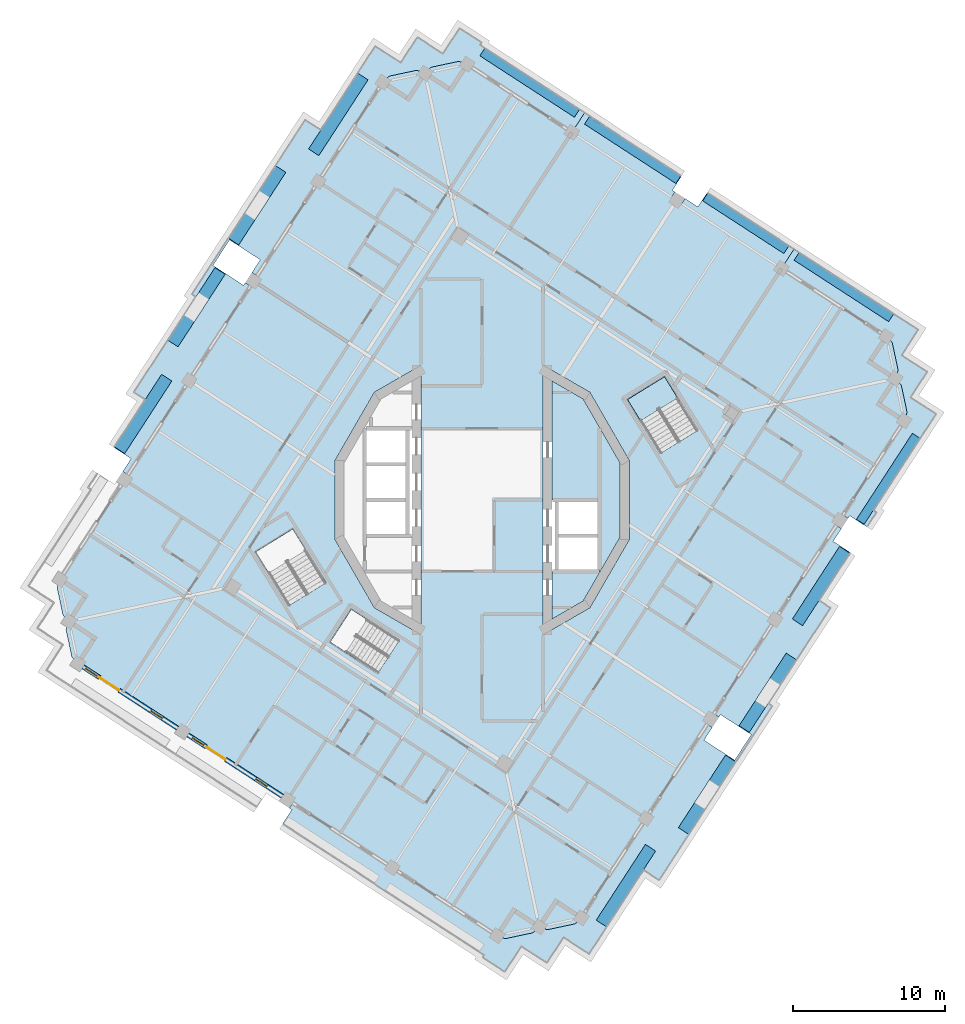
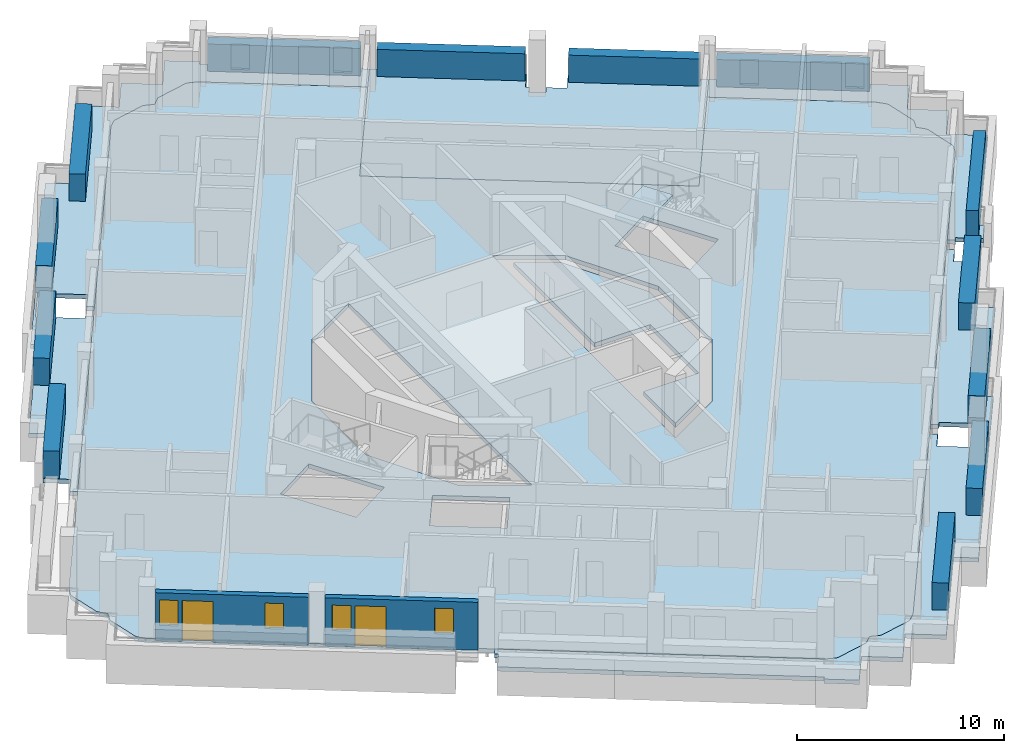
# One storey, part 3 of 15: 13 plates, 7 slabs, 4 windows, 2 doors, 2 walls, 6 openings, 1 element without a shape of its own.
"""IFC4 building model written with IfcOpenShell, lengths in metres."""

from ifc_helpers import new_model, si_unit, direction, frame, frame_2d, origin, origin_2d, place, context, subcontext, project, spatial, polyline, rectangle, outline, extrude, material, layer, layer_set, type_object, element, fill, aggregate, save


model = new_model("IFC4")

# Units and contexts
model_context = context("Model", 3, precision=1e-05, world=origin(), true_north=direction((0.0, 1.0)))
body_context = subcontext(model_context, "Body", "Model", "MODEL_VIEW")
ifc_project = project(units=[si_unit("LENGTHUNIT", "METRE"), si_unit("AREAUNIT", "SQUARE_METRE"), si_unit("VOLUMEUNIT", "CUBIC_METRE"), si_unit("PLANEANGLEUNIT", "RADIAN"), si_unit("MASSUNIT", "GRAM", prefix="KILO")], contexts=[model_context])

# Site, building, storey
site_placement = place(None, origin())
site = spatial("IfcSite", under=ifc_project, at=site_placement, CompositionType="ELEMENT")
building_placement = place(site_placement, origin())
building = spatial("IfcBuilding", under=site, at=building_placement, Name="Cantera Rosa Tower", CompositionType="ELEMENT")
storey_placement = place(building_placement, frame((0.0, 0.0, 272.10009765625)))
storey = spatial("IfcBuildingStorey", under=building, at=storey_placement, Name="L61", CompositionType="ELEMENT", Elevation=272.10009765625)

# Slabs
ifc_material_1 = material(Name="Concrete C35/45", Category="concrete")
ifc_layer_1 = layer(ifc_material_1, 0.25)
ifc_layer_set_1 = layer_set([ifc_layer_1], Name="COMPOSITE FLOOR SLAB 250 C35/45")
slab_type_1 = type_object("IfcSlabType", Name="COMPOSITE FLOOR SLAB 250 C35/45", PredefinedType="FLOOR", material=ifc_layer_set_1)
slab_1_placement = place(storey_placement, frame((0.0, 0.0, -0.25)))
element("IfcSlab", 1, at=slab_1_placement, inside=storey, type_object=slab_type_1, Name="SLAB L61 floor 2", PredefinedType="FLOOR", context=body_context, shape_type="SweptSolid", body=[
    extrude(outline(polyline([(0.106689453125, -28.030029296875), (-25.650146484375, -11.303466796875), (-26.52587890625, -10.734619140625), (-26.852783203125, -10.396240234375), (-26.873046875, -10.374755859375), (-26.890869140625, -10.351318359375), (-26.90625, -10.326416015625), (-26.919189453125, -10.2998046875), (-26.929443359375, -10.272216796875), (-26.93701171875, -10.243896484375), (-27.289794921875, -8.583740234375), (-27.294677734375, -8.5546875), (-27.29638671875, -8.525390625), (-27.29541015625, -8.49609375), (-27.29150390625, -8.466796875), (-27.28466796875, -8.43798828125), (-27.275146484375, -8.410400390625), (-27.114013671875, -7.968017578125), (-27.44091796875, -7.629638671875), (-27.461181640625, -7.608154296875), (-27.47900390625, -7.584716796875), (-27.494384765625, -7.559814453125), (-27.50732421875, -7.533203125), (-27.517578125, -7.505615234375), (-27.525146484375, -7.477294921875), (-27.8779296875, -5.817138671875), (-27.882568359375, -5.7880859375), (-27.884521484375, -5.7587890625), (-27.88330078125, -5.729248046875), (-27.87939453125, -5.7001953125), (-27.872802734375, -5.67138671875), (-27.863037109375, -5.643798828125), (-27.7021484375, -5.201416015625), (-27.13330078125, -4.32568359375), (-7.08447265625, 26.547119140625), (-6.515625, 27.4228515625), (-6.17724609375, 27.749755859375), (-6.15576171875, 27.769775390625), (-6.132080078125, 27.78759765625), (-6.107177734375, 27.802978515625), (-6.080810546875, 27.81591796875), (-6.05322265625, 27.826416015625), (-6.024658203125, 27.833740234375), (-4.36474609375, 28.186767578125), (-4.335693359375, 28.19140625), (-4.306396484375, 28.193115234375), (-4.27685546875, 28.192138671875), (-4.247802734375, 28.188232421875), (-4.218994140625, 28.181396484375), (-4.191162109375, 28.171875), (-3.7490234375, 28.0107421875), (-3.41064453125, 28.337890625), (-3.388916015625, 28.35791015625), (-3.365478515625, 28.375732421875), (-3.340576171875, 28.39111328125), (-3.314208984375, 28.404052734375), (-3.28662109375, 28.414306640625), (-3.258056640625, 28.421875), (-1.59814453125, 28.774658203125), (-1.569091796875, 28.779296875), (-1.539794921875, 28.78125), (-1.51025390625, 28.7802734375), (-1.481201171875, 28.7763671875), (-1.452392578125, 28.76953125), (-1.424560546875, 28.760009765625), (-0.982421875, 28.598876953125), (-0.106689453125, 28.030029296875), (5.894775390625, 24.1328125), (1.809814453125, 17.8427734375), (15.564208984375, 8.910888671875), (19.64892578125, 15.20068359375), (25.650146484375, 11.303466796875), (26.52587890625, 10.734619140625), (26.852783203125, 10.396240234375), (26.873046875, 10.374755859375), (26.890869140625, 10.351318359375), (26.90625, 10.326416015625), (26.919189453125, 10.2998046875), (26.929443359375, 10.272216796875), (26.93701171875, 10.243896484375), (27.289794921875, 8.583740234375), (27.294677734375, 8.5546875), (27.29638671875, 8.525390625), (27.29541015625, 8.49609375), (27.29150390625, 8.466796875), (27.28466796875, 8.43798828125), (27.275146484375, 8.410400390625), (27.114013671875, 7.968017578125), (27.44091796875, 7.629638671875), (27.461181640625, 7.608154296875), (27.47900390625, 7.584716796875), (27.494384765625, 7.559814453125), (27.50732421875, 7.533203125), (27.517578125, 7.505615234375), (27.525146484375, 7.477294921875), (27.8779296875, 5.817138671875), (27.882568359375, 5.7880859375), (27.884521484375, 5.7587890625), (27.88330078125, 5.729248046875), (27.87939453125, 5.7001953125), (27.872802734375, 5.67138671875), (27.863037109375, 5.643798828125), (27.7021484375, 5.201416015625), (27.13330078125, 4.32568359375), (7.08447265625, -26.547119140625), (6.515625, -27.4228515625), (6.17724609375, -27.749755859375), (6.15576171875, -27.769775390625), (6.132080078125, -27.78759765625), (6.107177734375, -27.802978515625), (6.080810546875, -27.81591796875), (6.05322265625, -27.826416015625), (6.024658203125, -27.833740234375), (4.36474609375, -28.186767578125), (4.335693359375, -28.19140625), (4.306396484375, -28.193115234375), (4.27685546875, -28.192138671875), (4.247802734375, -28.188232421875), (4.218994140625, -28.181396484375), (4.191162109375, -28.171875), (3.7490234375, -28.0107421875), (3.41064453125, -28.337890625), (3.388916015625, -28.35791015625), (3.365478515625, -28.375732421875), (3.340576171875, -28.39111328125), (3.314208984375, -28.404052734375), (3.28662109375, -28.414306640625), (3.258056640625, -28.421875), (1.59814453125, -28.774658203125), (1.569091796875, -28.779296875), (1.539794921875, -28.78125), (1.51025390625, -28.7802734375), (1.481201171875, -28.7763671875), (1.452392578125, -28.76953125), (1.424560546875, -28.760009765625), (0.982421875, -28.598876953125), (0.106689453125, -28.030029296875)]), holes=[polyline([(-9.97021484375, -9.3212890625), (-6.835205078125, -11.357177734375), (-5.4462890625, -9.218505859375), (-8.581298828125, -7.1826171875), (-9.97021484375, -9.3212890625)]), polyline([(-14.8564453125, -3.407470703125), (-12.68408203125, -6.929443359375), (-10.258544921875, -5.433349609375), (-12.430908203125, -1.911376953125), (-14.8564453125, -3.407470703125)]), polyline([(-9.6591796875, -2.588134765625), (-7.071044921875, -7.071044921875), (-4.0, -8.843994140625), (-4.0, 8.843994140625), (-7.071044921875, 7.071044921875), (-9.6591796875, 2.588134765625), (-9.6591796875, -2.588134765625)]), polyline([(9.6591796875, 2.588134765625), (7.071044921875, 7.071044921875), (4.0, 8.843994140625), (4.0, -8.843994140625), (7.071044921875, -7.071044921875), (9.6591796875, -2.588134765625), (9.6591796875, 2.588134765625)]), polyline([(11.96923828125, 8.088623046875), (9.54345703125, 6.592529296875), (11.7158203125, 3.070556640625), (14.1416015625, 4.566650390625), (11.96923828125, 8.088623046875)])]), origin(), (0.0, 0.0, 1.0), 0.25),
])
slab_2_placement = place(storey_placement, frame((0.0, 0.0, -0.25)))
element("IfcSlab", 2, at=slab_2_placement, inside=storey, type_object=slab_type_1, Name="SLAB L61 floor 3", PredefinedType="FLOOR", context=body_context, shape_type="SweptSolid", body=[
    extrude(outline(polyline([(7.699951171875, 0.0), (4.60009765625, 0.0), (4.60009765625, 7.804931640625), (6.6318359375, 6.6318359375), (9.059326171875, 2.427490234375), (9.059326171875, -2.427490234375), (6.6318359375, -6.6318359375), (4.60009765625, -7.804931640625), (4.60009765625, -4.699951171875), (7.699951171875, -4.699951171875), (7.699951171875, -2.35009765625), (7.699951171875, 0.0)])), origin(), (0.0, 0.0, 1.0), 0.25),
])
ifc_material_2 = material(Name="Concrete C35/45", Category="concrete")
ifc_layer_2 = layer(ifc_material_2, 0.25)
ifc_layer_set_2 = layer_set([ifc_layer_2], Name="LOGGIA SLAB 250 C35/45")
slab_type_2 = type_object("IfcSlabType", Name="LOGGIA SLAB 250 C35/45", PredefinedType="FLOOR", material=ifc_layer_set_2)
slab_3_placement = place(storey_placement, frame((0.0, 0.0, -0.25)))
element("IfcSlab", 3, at=slab_3_placement, inside=storey, type_object=slab_type_2, Name="LOGGIA SLAB L61 2", PredefinedType="FLOOR", context=body_context, shape_type="SweptSolid", body=[
    extrude(outline(polyline([(-11.6103515625, 24.931884765625), (-10.59033203125, 24.26953125), (-7.94140625, 28.3486328125), (-7.015380859375, 29.7744140625), (-5.58984375, 28.848388671875), (-5.338134765625, 28.68505859375), (-5.1748046875, 28.936767578125), (-4.248779296875, 30.362548828125), (-2.822998046875, 29.4365234375), (-2.571533203125, 29.273193359375), (-1.482421875, 30.950439453125), (-0.056396484375, 30.024658203125), (-0.155029296875, 29.873046875), (6.72216796875, 25.406982421875), (5.894775390625, 24.1328125), (-0.106689453125, 28.030029296875), (-0.982421875, 28.598876953125), (-1.424560546875, 28.760009765625), (-1.452392578125, 28.76953125), (-1.481201171875, 28.7763671875), (-1.51025390625, 28.7802734375), (-1.539794921875, 28.78125), (-1.569091796875, 28.779296875), (-1.59814453125, 28.774658203125), (-3.258056640625, 28.421875), (-3.28662109375, 28.414306640625), (-3.314208984375, 28.404052734375), (-3.340576171875, 28.39111328125), (-3.365478515625, 28.375732421875), (-3.388916015625, 28.35791015625), (-3.41064453125, 28.337890625), (-3.7490234375, 28.0107421875), (-4.191162109375, 28.171875), (-4.218994140625, 28.181396484375), (-4.247802734375, 28.188232421875), (-4.27685546875, 28.192138671875), (-4.306396484375, 28.193115234375), (-4.335693359375, 28.19140625), (-4.36474609375, 28.186767578125), (-6.024658203125, 27.833740234375), (-6.05322265625, 27.826416015625), (-6.080810546875, 27.81591796875), (-6.107177734375, 27.802978515625), (-6.132080078125, 27.78759765625), (-6.15576171875, 27.769775390625), (-6.17724609375, 27.749755859375), (-6.515625, 27.4228515625), (-7.08447265625, 26.547119140625), (-14.7724609375, 14.70849609375), (-15.10791015625, 14.926513671875), (-14.563232421875, 15.76513671875), (-16.575927734375, 17.072265625), (-17.665283203125, 15.39501953125), (-15.652587890625, 14.087646484375), (-15.543701171875, 14.255615234375), (-15.2080078125, 14.03759765625), (-23.2470703125, 1.65869140625), (-23.58251953125, 1.876708984375), (-23.037841796875, 2.71533203125), (-24.155517578125, 3.44140625), (-22.104248046875, 6.60009765625), (-22.8427734375, 7.079833984375), (-18.7705078125, 13.3505859375), (-19.0244140625, 13.515625), (-11.6103515625, 24.931884765625)])), origin(), (0.0, 0.0, 1.0), 0.25),
])
slab_4_placement = place(storey_placement, frame((0.0, 0.0, -0.25)))
element("IfcSlab", 4, at=slab_4_placement, inside=storey, type_object=slab_type_2, Name="LOGGIA SLAB L61 3", PredefinedType="FLOOR", context=body_context, shape_type="SweptSolid", body=[
    extrude(outline(polyline([(5.58984375, -28.848388671875), (5.338134765625, -28.68505859375), (5.1748046875, -28.936767578125), (4.248779296875, -30.362548828125), (2.822998046875, -29.4365234375), (2.571533203125, -29.273193359375), (1.482421875, -30.950439453125), (0.056396484375, -30.024658203125), (0.155029296875, -29.873046875), (-7.996337890625, -24.57958984375), (-7.98583984375, -24.5634765625), (-12.330810546875, -21.74169921875), (-13.08544921875, -21.251708984375), (-12.486328125, -20.3291015625), (-12.654296875, -20.22021484375), (-12.436279296875, -19.884765625), (0.106689453125, -28.030029296875), (0.982421875, -28.598876953125), (1.424560546875, -28.760009765625), (1.452392578125, -28.76953125), (1.481201171875, -28.7763671875), (1.51025390625, -28.7802734375), (1.539794921875, -28.78125), (1.569091796875, -28.779296875), (1.59814453125, -28.774658203125), (3.258056640625, -28.421875), (3.28662109375, -28.414306640625), (3.314208984375, -28.404052734375), (3.340576171875, -28.39111328125), (3.365478515625, -28.375732421875), (3.388916015625, -28.35791015625), (3.41064453125, -28.337890625), (3.7490234375, -28.0107421875), (4.191162109375, -28.171875), (4.218994140625, -28.181396484375), (4.247802734375, -28.188232421875), (4.27685546875, -28.192138671875), (4.306396484375, -28.193115234375), (4.335693359375, -28.19140625), (4.36474609375, -28.186767578125), (6.024658203125, -27.833740234375), (6.05322265625, -27.826416015625), (6.080810546875, -27.81591796875), (6.107177734375, -27.802978515625), (6.132080078125, -27.78759765625), (6.15576171875, -27.769775390625), (6.17724609375, -27.749755859375), (6.515625, -27.4228515625), (7.08447265625, -26.547119140625), (14.7724609375, -14.70849609375), (15.10791015625, -14.926513671875), (14.563232421875, -15.76513671875), (16.575927734375, -17.072265625), (17.665283203125, -15.39501953125), (15.652587890625, -14.087646484375), (15.543701171875, -14.255615234375), (15.2080078125, -14.03759765625), (23.2470703125, -1.65869140625), (23.58251953125, -1.876708984375), (23.037841796875, -2.71533203125), (24.155517578125, -3.44140625), (22.104248046875, -6.60009765625), (22.8427734375, -7.079833984375), (18.7705078125, -13.3505859375), (19.0244140625, -13.515625), (11.6103515625, -24.931884765625), (10.59033203125, -24.26953125), (7.94140625, -28.3486328125), (7.015380859375, -29.7744140625), (5.58984375, -28.848388671875)])), origin(), (0.0, 0.0, 1.0), 0.25),
])
slab_5_placement = place(storey_placement, frame((0.0, 0.0, -0.25)))
element("IfcSlab", 5, at=slab_5_placement, inside=storey, type_object=slab_type_2, Name="LOGGIA SLAB L61 4", PredefinedType="FLOOR", context=body_context, shape_type="SweptSolid", body=[
    extrude(outline(polyline([(27.783935546875, 9.917724609375), (27.51171875, 9.49853515625), (27.930908203125, 9.22607421875), (29.18896484375, 8.4091796875), (28.3720703125, 7.151123046875), (28.099609375, 6.731689453125), (28.51904296875, 6.45947265625), (29.777099609375, 5.642578125), (28.960205078125, 4.384521484375), (25.66650390625, -0.68701171875), (25.86181640625, -0.813720703125), (25.244873046875, -1.763916015625), (24.127197265625, -1.0380859375), (24.01806640625, -1.205810546875), (23.6826171875, -0.98779296875), (27.13330078125, 4.32568359375), (27.7021484375, 5.201416015625), (27.863037109375, 5.643798828125), (27.872802734375, 5.67138671875), (27.87939453125, 5.7001953125), (27.88330078125, 5.729248046875), (27.884521484375, 5.7587890625), (27.882568359375, 5.7880859375), (27.8779296875, 5.817138671875), (27.525146484375, 7.477294921875), (27.517578125, 7.505615234375), (27.50732421875, 7.533203125), (27.494384765625, 7.559814453125), (27.47900390625, 7.584716796875), (27.461181640625, 7.608154296875), (27.44091796875, 7.629638671875), (27.114013671875, 7.968017578125), (27.275146484375, 8.410400390625), (27.28466796875, 8.43798828125), (27.29150390625, 8.466796875), (27.29541015625, 8.49609375), (27.29638671875, 8.525390625), (27.294677734375, 8.5546875), (27.289794921875, 8.583740234375), (26.93701171875, 10.243896484375), (26.929443359375, 10.272216796875), (26.919189453125, 10.2998046875), (26.90625, 10.326416015625), (26.890869140625, 10.351318359375), (26.873046875, 10.374755859375), (26.852783203125, 10.396240234375), (26.52587890625, 10.734619140625), (25.650146484375, 11.303466796875), (19.64892578125, 15.20068359375), (20.4658203125, 16.458740234375), (21.723876953125, 15.641845703125), (27.343017578125, 11.992919921875), (28.600830078125, 11.17578125), (27.783935546875, 9.917724609375)])), origin(), (0.0, 0.0, 1.0), 0.25),
])

# Plates
ifc_material_3 = material(Name="Cantera stone planter with soil", Category="masonry")
plate_type_1 = type_object("IfcPlateType", Name="PLANTER 600", PredefinedType="USERDEFINED", material=ifc_material_3)
plate_1_placement = place(storey_placement, frame((23.740966796875, 13.97412109375, -0.000244140625), z_axis=(0.0, 0.0, 1.0), x_axis=(-0.838670567945, 0.544639035015, 0.0)))
element("IfcPlate", 6, at=plate_1_placement, inside=storey, type_object=plate_type_1, Name="PLANTER L61-01", ObjectType="PLANTER", PredefinedType="USERDEFINED", context=body_context, shape_type="SweptSolid", body=[
    extrude(rectangle(XDim=7.39990234375, YDim=0.60009765625, at=origin_2d()), origin(), (0.0, 0.0, 1.0), 1.60009765625),
])
plate_2_placement = place(storey_placement, frame((17.30419921875, 18.154296875, -0.000244140625), z_axis=(0.0, 0.0, 1.0), x_axis=(-0.838670567945, 0.544639035015, 0.0)))
element("IfcPlate", 7, at=plate_2_placement, inside=storey, type_object=plate_type_1, Name="PLANTER L61-02", ObjectType="PLANTER", PredefinedType="USERDEFINED", context=body_context, shape_type="SweptSolid", body=[
    extrude(rectangle(XDim=6.35009765625, YDim=0.60009765625, at=origin_2d()), origin(), (0.0, 0.0, 1.0), 1.60009765625),
])
plate_3_placement = place(storey_placement, frame((9.882080078125, 22.974365234375, -0.000244140625), z_axis=(0.0, 0.0, 1.0), x_axis=(-0.838670567945, 0.544639035015, 0.0)))
element("IfcPlate", 8, at=plate_3_placement, inside=storey, type_object=plate_type_1, Name="PLANTER L61-03", ObjectType="PLANTER", PredefinedType="USERDEFINED", context=body_context, shape_type="SweptSolid", body=[
    extrude(rectangle(XDim=7.14990234375, YDim=0.60009765625, at=origin_2d()), origin(), (0.0, 0.0, 1.0), 1.60009765625),
])
plate_4_placement = place(storey_placement, frame((3.1201171875, 27.388427734375, -0.000244140625), z_axis=(0.0, 0.0, 1.0), x_axis=(-0.838670567945, 0.544639035015, 0.0)))
element("IfcPlate", 9, at=plate_4_placement, inside=storey, type_object=plate_type_1, Name="PLANTER L61-04", ObjectType="PLANTER", PredefinedType="USERDEFINED", context=body_context, shape_type="SweptSolid", body=[
    extrude(rectangle(XDim=7.39990234375, YDim=0.60009765625, at=origin_2d()), origin(), (0.0, 0.0, 1.0), 1.60009765625),
])
plate_5_placement = place(storey_placement, frame((26.657958984375, 1.390380859375, -0.000244140625), z_axis=(0.0, 0.0, 1.0), x_axis=(0.544639035015, 0.838670567945, 0.0)))
element("IfcPlate", 10, at=plate_5_placement, inside=storey, type_object=plate_type_1, Name="PLANTER L61-18", ObjectType="PLANTER", PredefinedType="USERDEFINED", context=body_context, shape_type="SweptSolid", body=[
    extrude(rectangle(XDim=6.72998046875, YDim=0.60009765625, at=origin_2d()), origin(), (0.0, 0.0, 1.0), 1.60009765625),
])
ifc_material_4 = material(Name="Cantera stone planter with soil", Category="masonry")
plate_type_2 = type_object("IfcPlateType", Name="PLANTER 800", PredefinedType="USERDEFINED", material=ifc_material_4)
plate_6_placement = place(storey_placement, frame((-9.438720703125, 25.30859375, -0.000244140625), z_axis=(0.0, 0.0, 1.0), x_axis=(-0.544639035015, -0.838670567945, 0.0)))
element("IfcPlate", 11, at=plate_6_placement, inside=storey, type_object=plate_type_2, Name="PLANTER L61-05", ObjectType="PLANTER", PredefinedType="USERDEFINED", context=body_context, shape_type="SweptSolid", body=[
    extrude(rectangle(XDim=5.929931640625, YDim=0.800048828125, at=origin_2d()), origin(), (0.0, 0.0, 1.0), 1.60009765625),
])
for number, where, z_axis, x_axis, name in (
    (12, (-14.763916015625, 19.34130859375, -0.000244140625), (0.0, 0.0, 1.0), (-0.544639035015, -0.838670567945, 0.0), "PLANTER L61-06"),
    (13, (-18.747314453125, 12.651611328125, -0.000244140625), (0.0, 0.0, 1.0), (-0.544639035015, -0.838670567945, 0.0), "PLANTER L61-07"),
    (14, (-22.24609375, 5.647216796875, -0.000244140625), (0.0, 0.0, 1.0), (-0.544639035015, -0.838670567945, 0.0), "PLANTER L61-08"),
):
    element("IfcPlate", number, at=place(storey_placement, frame(where, z_axis=z_axis, x_axis=x_axis)), inside=storey, type_object=plate_type_2, Name=name, ObjectType="PLANTER", PredefinedType="USERDEFINED", context=body_context, shape_type="SweptSolid", body=[
        extrude(rectangle(XDim=5.679931640625, YDim=0.800048828125, at=origin_2d()), origin(), (0.0, 0.0, 1.0), 1.60009765625),
    ])
plate_7_placement = place(storey_placement, frame((9.438720703125, -25.30859375, -0.000244140625), z_axis=(0.0, 0.0, 1.0), x_axis=(0.544639035015, 0.838670567945, 0.0)))
element("IfcPlate", 15, at=plate_7_placement, inside=storey, type_object=plate_type_2, Name="PLANTER L61-14", ObjectType="PLANTER", PredefinedType="USERDEFINED", context=body_context, shape_type="SweptSolid", body=[
    extrude(rectangle(XDim=5.929931640625, YDim=0.800048828125, at=origin_2d()), origin(), (0.0, 0.0, 1.0), 1.60009765625),
])
for number, where, z_axis, x_axis, name in (
    (16, (14.763916015625, -19.34130859375, -0.000244140625), (0.0, 0.0, 1.0), (0.544639035015, 0.838670567945, 0.0), "PLANTER L61-15"),
    (17, (18.747314453125, -12.651611328125, -0.000244140625), (0.0, 0.0, 1.0), (0.544639035015, 0.838670567945, 0.0), "PLANTER L61-16"),
    (18, (22.24609375, -5.647216796875, -0.000244140625), (0.0, 0.0, 1.0), (0.544639035015, 0.838670567945, 0.0), "PLANTER L61-17"),
):
    element("IfcPlate", number, at=place(storey_placement, frame(where, z_axis=z_axis, x_axis=x_axis)), inside=storey, type_object=plate_type_2, Name=name, ObjectType="PLANTER", PredefinedType="USERDEFINED", context=body_context, shape_type="SweptSolid", body=[
        extrude(rectangle(XDim=5.679931640625, YDim=0.800048828125, at=origin_2d()), origin(), (0.0, 0.0, 1.0), 1.60009765625),
    ])

# Stair, slab
ifc_material_5 = material(Name="Concrete C35/45", Category="concrete")
stair_type = type_object("IfcStairType", Name="EXIT STAIR 1350 DOGLEG", PredefinedType="HALF_TURN_STAIR", material=ifc_material_5)
stair_placement = place(storey_placement, origin())
stair = element("IfcStair", 19, at=stair_placement, inside=storey, type_object=stair_type, Name="L61 ST-51", PredefinedType="HALF_TURN_STAIR")
ifc_material_6 = material(Name="Concrete C35/45", Category="concrete")
ifc_layer_3 = layer(ifc_material_6, 0.199951171875)
ifc_layer_set_3 = layer_set([ifc_layer_3], Name="STAIR LANDING 200")
slab_type_3 = type_object("IfcSlabType", Name="STAIR LANDING 200", PredefinedType="LANDING", material=ifc_layer_set_3)
slab_6_placement = place(storey_placement, frame((0.0, 0.0, 1.599853515625)))
slab_6 = element("IfcSlab", 20, at=slab_6_placement, type_object=slab_type_3, Name="ST-51 landing 1", PredefinedType="LANDING", context=body_context, shape_type="SweptSolid", body=[
    extrude(outline(polyline([(12.8310546875, 6.691162109375), (11.96923828125, 8.088623046875), (9.54345703125, 6.592529296875), (10.405517578125, 5.19482421875), (12.8310546875, 6.691162109375)])), origin(), (0.0, 0.0, 1.0), 0.199951171875),
])
aggregate(stair, [slab_6])

# Slab
ifc_material_7 = material(Name="Concrete C35/45", Category="concrete")
ifc_layer_4 = layer(ifc_material_7, 0.25)
ifc_layer_set_4 = layer_set([ifc_layer_4], Name="TERRACE SLAB 250 C35/45")
slab_type_4 = type_object("IfcSlabType", Name="TERRACE SLAB 250 C35/45", PredefinedType="FLOOR", material=ifc_layer_set_4)
slab_7_placement = place(storey_placement, frame((0.0, 0.0, -0.25)))
element("IfcSlab", 21, at=slab_7_placement, inside=storey, type_object=slab_type_4, Name="TERRACE SLAB L61 1", PredefinedType="FLOOR", context=body_context, shape_type="SweptSolid", body=[
    extrude(outline(polyline([(15.564208984375, 8.910888671875), (1.809814453125, 17.8427734375), (5.894775390625, 24.1328125), (6.72216796875, 25.406982421875), (7.996337890625, 24.57958984375), (7.98583984375, 24.5634765625), (12.330810546875, 21.74169921875), (13.08544921875, 21.251708984375), (12.486328125, 20.3291015625), (12.654296875, 20.22021484375), (12.436279296875, 19.884765625), (12.438720703125, 19.88330078125), (13.107421875, 19.448974609375), (13.3251953125, 19.784423828125), (14.163818359375, 19.23974609375), (14.762939453125, 20.162353515625), (14.8466796875, 20.10791015625), (19.207763671875, 17.275634765625), (20.4658203125, 16.458740234375), (19.64892578125, 15.20068359375), (15.564208984375, 8.910888671875)])), origin(), (0.0, 0.0, 1.0), 0.25),
])

# Wall, openings, windows, door
ifc_material_8 = material(Name="Hollow clay masonry with cantera stone cladding", Category="masonry")
ifc_layer_5 = layer(ifc_material_8, 0.300048828125)
ifc_layer_set_5 = layer_set([ifc_layer_5], Name="EW-LOGGIA 300 H2820")
wall_type = type_object("IfcWallType", Name="EW-LOGGIA 300 H2820", PredefinedType="SOLIDWALL", material=ifc_layer_set_5)
wall_1_placement = place(storey_placement, frame((-26.1904296875, -10.95263671875, 0.0), z_axis=(0.0, 0.0, 1.0), x_axis=(0.838669679097, -0.544640403719, 0.0)))
wall_1 = element("IfcWall", 22, at=wall_1_placement, inside=storey, type_object=wall_type, Name="EN-L61-W14", PredefinedType="SOLIDWALL", context=body_context, shape_type="SweptSolid", body=[
    extrude(rectangle(XDim=7.39990234375, YDim=0.300048828125, at=frame_2d((3.699951171875, 0.0))), origin(), (0.0, 0.0, 1.0), 2.81982421875),
])
opening_1_placement = place(wall_1_placement, frame((0.199951171875, 0.0, 0.89990234375)))
opening_1 = element("IfcOpeningElement", 23, at=opening_1_placement, cuts=wall_1, Name="Opening L61-W22", PredefinedType="OPENING", context=body_context, shape_type="SweptSolid", body=[
    extrude(rectangle(XDim=0.89990234375, YDim=1.5, at=frame_2d((0.449951171875, 0.75))), frame((0.0, 0.159912109375, 0.0), z_axis=(0.0, -1.0, 0.0), x_axis=(1.0, 0.0, 0.0)), (0.0, 0.0, 1.0), 0.320068359375),
])
opening_2_placement = place(wall_1_placement, frame((1.300048828125, 0.0, 0.0)))
opening_2 = element("IfcOpeningElement", 24, at=opening_2_placement, cuts=wall_1, Name="Opening L61-TD23", PredefinedType="OPENING", context=body_context, shape_type="SweptSolid", body=[
    extrude(rectangle(XDim=1.5, YDim=2.39990234375, at=frame_2d((0.75, 1.199951171875))), frame((0.0, 0.159912109375, 0.0), z_axis=(0.0, -1.0, 0.0), x_axis=(1.0, 0.0, 0.0)), (0.0, 0.0, 1.0), 0.320068359375),
])
opening_3_placement = place(wall_1_placement, frame((5.300048828125, 0.0, 0.89990234375)))
opening_3 = element("IfcOpeningElement", 25, at=opening_3_placement, cuts=wall_1, Name="Opening L61-W24", PredefinedType="OPENING", context=body_context, shape_type="SweptSolid", body=[
    extrude(rectangle(XDim=0.89990234375, YDim=1.5, at=frame_2d((0.449951171875, 0.75))), frame((0.0, 0.159912109375, 0.0), z_axis=(0.0, -1.0, 0.0), x_axis=(1.0, 0.0, 0.0)), (0.0, 0.0, 1.0), 0.320068359375),
])
ifc_material_9 = material(Name="Aluminium frame with clear glass", Category="aluminium")
window_type = type_object("IfcWindowType", Name="Residential window 900x1500", PartitioningType="SINGLE_PANEL", PredefinedType="WINDOW", material=ifc_material_9)
window_1_placement = place(opening_1_placement, origin())
window_1 = element("IfcWindow", 26, at=window_1_placement, inside=storey, type_object=window_type, Name="WINDOW L61-W22", OverallHeight=1.5, OverallWidth=0.89990234375, PartitioningType="SINGLE_PANEL", PredefinedType="WINDOW", context=body_context, shape_type="SweptSolid", body=[
    extrude(rectangle(XDim=0.89990234375, YDim=1.5, at=frame_2d((0.449951171875, 0.75))), frame((0.0, 0.030029296875, 0.0), z_axis=(0.0, -1.0, 0.0), x_axis=(1.0, 0.0, 0.0)), (0.0, 0.0, 1.0), 0.06005859375),
])
fill(opening_1, window_1)
window_2_placement = place(opening_3_placement, origin())
window_2 = element("IfcWindow", 27, at=window_2_placement, inside=storey, type_object=window_type, Name="WINDOW L61-W24", OverallHeight=1.5, OverallWidth=0.89990234375, PartitioningType="SINGLE_PANEL", PredefinedType="WINDOW", context=body_context, shape_type="SweptSolid", body=[
    extrude(rectangle(XDim=0.89990234375, YDim=1.5, at=frame_2d((0.449951171875, 0.75))), frame((0.0, 0.030029296875, 0.0), z_axis=(0.0, -1.0, 0.0), x_axis=(1.0, 0.0, 0.0)), (0.0, 0.0, 1.0), 0.06005859375),
])
fill(opening_3, window_2)
ifc_material_10 = material(Name="Aluminium frame with clear glass", Category="aluminium")
door_type = type_object("IfcDoorType", Name="TD-R 1500x2400", OperationType="NOTDEFINED", PredefinedType="DOOR", material=ifc_material_10)
door_1_placement = place(opening_2_placement, origin())
door_1 = element("IfcDoor", 28, at=door_1_placement, inside=storey, type_object=door_type, Name="LOGGIA DOOR L61-TD23", OperationType="SLIDING_TO_LEFT", OverallHeight=2.39990234375, OverallWidth=1.5, PredefinedType="DOOR", context=body_context, shape_type="SweptSolid", body=[
    extrude(rectangle(XDim=1.5, YDim=2.39990234375, at=frame_2d((0.75, 1.199951171875))), frame((0.0, 0.02490234375, 0.0), z_axis=(0.0, -1.0, 0.0), x_axis=(1.0, 0.0, 0.0)), (0.0, 0.0, 1.0), 0.050048828125),
])
fill(opening_2, door_1)

wall_2_placement = place(storey_placement, frame((-19.3134765625, -15.418701171875, 0.0), z_axis=(0.0, 0.0, 1.0), x_axis=(0.838679465365, -0.544625333946, 0.0)))
wall_2 = element("IfcWall", 29, at=wall_2_placement, inside=storey, type_object=wall_type, Name="EN-L61-W15", PredefinedType="SOLIDWALL", context=body_context, shape_type="SweptSolid", body=[
    extrude(rectangle(XDim=7.400146484375, YDim=0.300048828125, at=frame_2d((3.7001953125, 0.0))), origin(), (0.0, 0.0, 1.0), 2.81982421875),
])
opening_4_placement = place(wall_2_placement, frame((0.35009765625, 0.0, 0.89990234375)))
opening_4 = element("IfcOpeningElement", 30, at=opening_4_placement, cuts=wall_2, Name="Opening L61-W25", PredefinedType="OPENING", context=body_context, shape_type="SweptSolid", body=[
    extrude(rectangle(XDim=0.89990234375, YDim=1.5, at=frame_2d((0.449951171875, 0.75))), frame((0.0, 0.159912109375, 0.0), z_axis=(0.0, -1.0, 0.0), x_axis=(1.0, 0.0, 0.0)), (0.0, 0.0, 1.0), 0.320068359375),
])
opening_5_placement = place(wall_2_placement, frame((1.449951171875, 0.0, 0.0)))
opening_5 = element("IfcOpeningElement", 31, at=opening_5_placement, cuts=wall_2, Name="Opening L61-TD26", PredefinedType="OPENING", context=body_context, shape_type="SweptSolid", body=[
    extrude(rectangle(XDim=1.5, YDim=2.39990234375, at=frame_2d((0.75, 1.199951171875))), frame((0.0, 0.159912109375, 0.0), z_axis=(0.0, -1.0, 0.0), x_axis=(1.0, 0.0, 0.0)), (0.0, 0.0, 1.0), 0.320068359375),
])
opening_6_placement = place(wall_2_placement, frame((5.300048828125, 0.0, 0.89990234375)))
opening_6 = element("IfcOpeningElement", 32, at=opening_6_placement, cuts=wall_2, Name="Opening L61-W27", PredefinedType="OPENING", context=body_context, shape_type="SweptSolid", body=[
    extrude(rectangle(XDim=0.89990234375, YDim=1.5, at=frame_2d((0.449951171875, 0.75))), frame((0.0, 0.159912109375, 0.0), z_axis=(0.0, -1.0, 0.0), x_axis=(1.0, 0.0, 0.0)), (0.0, 0.0, 1.0), 0.320068359375),
])
window_3_placement = place(opening_4_placement, origin())
window_3 = element("IfcWindow", 33, at=window_3_placement, inside=storey, type_object=window_type, Name="WINDOW L61-W25", OverallHeight=1.5, OverallWidth=0.89990234375, PartitioningType="SINGLE_PANEL", PredefinedType="WINDOW", context=body_context, shape_type="SweptSolid", body=[
    extrude(rectangle(XDim=0.89990234375, YDim=1.5, at=frame_2d((0.449951171875, 0.75))), frame((0.0, 0.030029296875, 0.0), z_axis=(0.0, -1.0, 0.0), x_axis=(1.0, 0.0, 0.0)), (0.0, 0.0, 1.0), 0.06005859375),
])
fill(opening_4, window_3)
window_4_placement = place(opening_6_placement, origin())
window_4 = element("IfcWindow", 34, at=window_4_placement, inside=storey, type_object=window_type, Name="WINDOW L61-W27", OverallHeight=1.5, OverallWidth=0.89990234375, PartitioningType="SINGLE_PANEL", PredefinedType="WINDOW", context=body_context, shape_type="SweptSolid", body=[
    extrude(rectangle(XDim=0.89990234375, YDim=1.5, at=frame_2d((0.449951171875, 0.75))), frame((0.0, 0.030029296875, 0.0), z_axis=(0.0, -1.0, 0.0), x_axis=(1.0, 0.0, 0.0)), (0.0, 0.0, 1.0), 0.06005859375),
])
fill(opening_6, window_4)
door_2_placement = place(opening_5_placement, origin())
door_2 = element("IfcDoor", 35, at=door_2_placement, inside=storey, type_object=door_type, Name="LOGGIA DOOR L61-TD26", OperationType="SLIDING_TO_LEFT", OverallHeight=2.39990234375, OverallWidth=1.5, PredefinedType="DOOR", context=body_context, shape_type="SweptSolid", body=[
    extrude(rectangle(XDim=1.5, YDim=2.39990234375, at=frame_2d((0.75, 1.199951171875))), frame((0.0, 0.02490234375, 0.0), z_axis=(0.0, -1.0, 0.0), x_axis=(1.0, 0.0, 0.0)), (0.0, 0.0, 1.0), 0.050048828125),
])
fill(opening_5, door_2)

save(model, "model.ifc")
